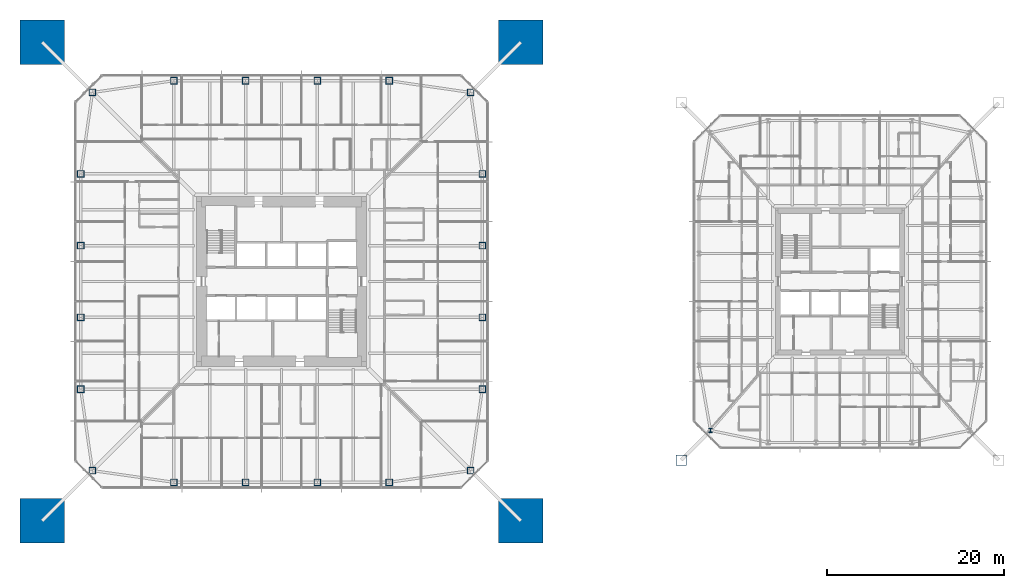
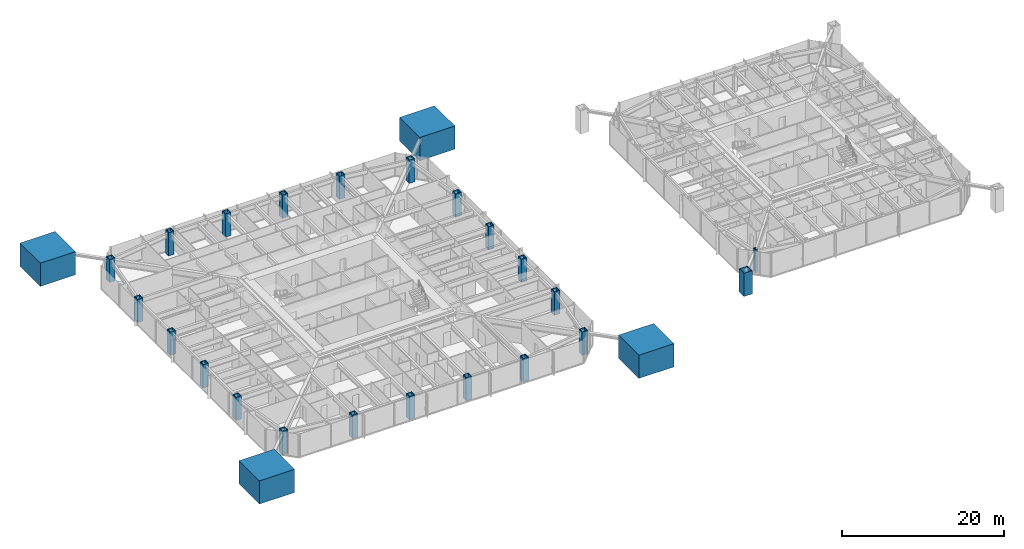
# One storey, part 1 of 26: 26 columns.
"""IFC4 building model written with IfcOpenShell, lengths in metres."""

import ifcopenshell
import ifcopenshell.guid

model = None  # the IFC model being written
_history = None  # IfcOwnerHistory: only IFC2X3 demands one
_inside = {}  # id of a spatial element -> (the spatial element, [elements in it])
_under = {}  # id of a project, library or spatial element -> (it, [spatial elements below it])
_declared = {}  # id of a project -> (the project, [libraries it declares])
_typed = {}  # id of a type object -> (the type object, [elements of that type])
_made_of = {}  # id of a material, layer set ... -> (it, [elements and type objects made of it])


def new_model(schema):
    """Start an empty IFC model of exactly this schema.

    Asked for "IFC4X3", IfcOpenShell would pick the latest addendum, in which some entities
    have other attributes; the version numbers below select the first issue.
    IFC2X3 requires an IfcOwnerHistory on every rooted entity: one is made here for all.
    """
    global model, _history
    if schema == "IFC4X3":
        model = ifcopenshell.file(schema_version=(4, 3, 0, 0))
    else:
        model = ifcopenshell.file(schema=schema)
    _inside.clear()
    _under.clear()
    _declared.clear()
    _typed.clear()
    _made_of.clear()
    _history = None
    if model.schema == "IFC2X3":
        org = make("IfcOrganization", Name="unknown")
        user = make(
            "IfcPersonAndOrganization",
            ThePerson=make("IfcPerson", FamilyName="unknown"),
            TheOrganization=org,
        )
        app = make(
            "IfcApplication",
            ApplicationDeveloper=org,
            Version="unknown",
            ApplicationFullName="unknown",
            ApplicationIdentifier="unknown",
        )
        _history = make(
            "IfcOwnerHistory",
            OwningUser=user,
            OwningApplication=app,
            ChangeAction="ADDED",
            CreationDate=0,
        )
    return model


def make(cls, **values):
    """One entity of the class cls with the attributes given. An attribute that is None is left unset."""
    return model.create_entity(
        cls, **{name: value for name, value in values.items() if value is not None}
    )


def rooted(cls, **values):
    """An entity with a GlobalId (a new one), such as an element, a storey or a relation."""
    return make(cls, GlobalId=ifcopenshell.guid.new(), OwnerHistory=_history, **values)


def si_unit(unit_type, name, prefix=None):
    """IfcSIUnit, for example si_unit("LENGTHUNIT", "METRE", prefix="MILLI")."""
    return make("IfcSIUnit", UnitType=unit_type, Prefix=prefix, Name=name)


def assignment(units):
    """IfcUnitAssignment: the units of a project."""
    return None if units is None else make("IfcUnitAssignment", Units=units)


def point(xyz):
    """IfcCartesianPoint."""
    return None if xyz is None else make("IfcCartesianPoint", Coordinates=xyz)


def direction(xyz):
    """IfcDirection."""
    return None if xyz is None else make("IfcDirection", DirectionRatios=xyz)


def frame(location, z_axis=None, x_axis=None):
    """IfcAxis2Placement3D, a coordinate frame: its origin and axes. An axis left out is left unset."""
    return make(
        "IfcAxis2Placement3D",
        Location=point(location),
        Axis=direction(z_axis),
        RefDirection=direction(x_axis),
    )


def frame_2d(location, x_axis=None):
    """IfcAxis2Placement2D, a coordinate frame in the plane: its origin and x axis."""
    return make(
        "IfcAxis2Placement2D", Location=point(location), RefDirection=direction(x_axis)
    )


def origin():
    """The frame at (0, 0, 0) with its axes left unset."""
    return frame((0.0, 0.0, 0.0))


def origin_2d():
    """The frame at (0, 0) in the plane with its x axis left unset."""
    return frame_2d((0.0, 0.0))


def place(relative_to, where):
    """IfcLocalPlacement: puts the frame where relative to a parent placement (None: the world)."""
    return make(
        "IfcLocalPlacement", PlacementRelTo=relative_to, RelativePlacement=where
    )


def context(
    kind, dimensions, precision=None, world=None, true_north=None, identifier=None
):
    """IfcGeometricRepresentationContext, for example the 3D "Model" context."""
    return make(
        "IfcGeometricRepresentationContext",
        ContextIdentifier=identifier,
        ContextType=kind,
        CoordinateSpaceDimension=dimensions,
        Precision=precision,
        WorldCoordinateSystem=world,
        TrueNorth=true_north,
    )


def subcontext(parent, identifier, kind, view, scale=None):
    """IfcGeometricRepresentationSubContext, for example "Body" below "Model"."""
    return make(
        "IfcGeometricRepresentationSubContext",
        ContextIdentifier=identifier,
        ContextType=kind,
        ParentContext=parent,
        TargetScale=scale,
        TargetView=view,
    )


def project(units=None, contexts=None):
    """IfcProject with its units and contexts."""
    return rooted(
        "IfcProject",
        Name="project",
        RepresentationContexts=contexts,
        UnitsInContext=assignment(units),
    )


def spatial(cls, under=None, at=None, **own):
    """A site, building, storey or space (cls), placed at a placement, below another one or the project."""
    s = rooted(cls, ObjectPlacement=at, **own)
    if under is not None:
        _under.setdefault(under.id(), (under, []))[1].append(s)
    return s


def profile(cls, at=None, kind="AREA", **sizes):
    """A parametric profile (cls). Its sizes go by their IFC names, for example OverallWidth=200.0."""
    return make(cls, ProfileType=kind, Position=at, **sizes)


def rectangle(**sizes):
    """IfcRectangleProfileDef."""
    return profile("IfcRectangleProfileDef", **sizes)


def hollow_rectangle(**sizes):
    """IfcRectangleHollowProfileDef."""
    return profile("IfcRectangleHollowProfileDef", **sizes)


def i_section(**sizes):
    """IfcIShapeProfileDef."""
    return profile("IfcIShapeProfileDef", **sizes)


def extrude(swept, where, along, depth):
    """IfcExtrudedAreaSolid: the profile swept, set in the frame where, extruded along a direction by depth."""
    return make(
        "IfcExtrudedAreaSolid",
        SweptArea=swept,
        Position=where,
        ExtrudedDirection=direction(along),
        Depth=depth,
    )


def shape(context_of_items, identifier, shape_type, items):
    """IfcShapeRepresentation: the items that make up one representation, for example the "Body"."""
    return make(
        "IfcShapeRepresentation",
        ContextOfItems=context_of_items,
        RepresentationIdentifier=identifier,
        RepresentationType=shape_type,
        Items=items,
    )


def material(Name=None, Category=None):
    """IfcMaterial."""
    return make("IfcMaterial", Name=Name, Category=Category)


def material_profile(
    of_material, cross_section, Name=None, Category=None, Priority=None
):
    """IfcMaterialProfile: a cross section and its material."""
    return make(
        "IfcMaterialProfile",
        Name=Name,
        Material=of_material,
        Profile=cross_section,
        Priority=Priority,
        Category=Category,
    )


def profile_set(profiles, Name=None, composite=None):
    """IfcMaterialProfileSet."""
    return make(
        "IfcMaterialProfileSet",
        Name=Name,
        MaterialProfiles=profiles,
        CompositeProfile=composite,
    )


def made_of(thing, what):
    """Note that an element or type object is made of a material, layer set ...; save() writes the relation."""
    if what is not None:
        _made_of.setdefault(what.id(), (what, []))[1].append(thing)
    return thing


def type_object(cls, material=None, **own):
    """A type object (cls), such as IfcWallType, which elements share."""
    return made_of(rooted(cls, **own), material)


def element(
    cls,
    number,
    at=None,
    inside=None,
    cuts=None,
    type_object=None,
    material=None,
    context=None,
    identifier="Body",
    shape_type=None,
    held_by="IfcProductDefinitionShape",
    body=None,
    shapes=None,
    **own,
):
    """One element of the class cls, such as IfcWall. Its Tag is "e" and its number.

    at: its placement. inside: the storey or other place that contains it. cuts: it is an
    opening in that element (IfcRelVoidsElement). A single representation is given by context,
    identifier, shape_type and body (its items); several are given by shapes. held_by: the class
    of the entity that holds the representations. save() writes the other relations.
    """
    e = rooted(cls, Tag="e%d" % number, ObjectPlacement=at, **own)
    if body is not None:
        shapes = [shape(context, identifier, shape_type, body)]
    if shapes is not None:
        e.Representation = make(held_by, Representations=shapes)
    if inside is not None:
        _inside.setdefault(inside.id(), (inside, []))[1].append(e)
    if cuts is not None:
        rooted(
            "IfcRelVoidsElement", RelatingBuildingElement=cuts, RelatedOpeningElement=e
        )
    if type_object is not None:
        _typed.setdefault(type_object.id(), (type_object, []))[1].append(e)
    return made_of(e, material)


def aggregate(whole, parts):
    """IfcRelAggregates: a whole, such as a stair, and the parts it consists of."""
    return rooted("IfcRelAggregates", RelatingObject=whole, RelatedObjects=parts)


def save(model, path):
    """Write the relations noted so far, then the file.

    IfcRelAggregates (storeys below a building ...), IfcRelContainedInSpatialStructure (elements
    in a storey), IfcRelDefinesByType, IfcRelAssociatesMaterial and IfcRelDeclares: one each for
    every whole, place, type object, material and project.
    """
    for whole, parts in _under.values():
        aggregate(whole, parts)
    for where, things in _inside.values():
        rooted(
            "IfcRelContainedInSpatialStructure",
            RelatedElements=things,
            RelatingStructure=where,
        )
    for kind, things in _typed.values():
        rooted("IfcRelDefinesByType", RelatedObjects=things, RelatingType=kind)
    for what, things in _made_of.values():
        rooted("IfcRelAssociatesMaterial", RelatedObjects=things, RelatingMaterial=what)
    for by, libraries in _declared.values():
        rooted("IfcRelDeclares", RelatingContext=by, RelatedDefinitions=libraries)
    model.write(path)


model = new_model("IFC4")

# Units and contexts
model_context = context("Model", 3, precision=1e-05, world=origin(), true_north=direction((0.0, 1.0)))
body_context = subcontext(model_context, "Body", "Model", "MODEL_VIEW")
ifc_project = project(units=[si_unit("LENGTHUNIT", "METRE"), si_unit("AREAUNIT", "SQUARE_METRE"), si_unit("VOLUMEUNIT", "CUBIC_METRE"), si_unit("PLANEANGLEUNIT", "RADIAN"), si_unit("MASSUNIT", "GRAM", prefix="KILO")], contexts=[model_context])

# Site, building, storey
site_placement = place(None, origin())
site = spatial("IfcSite", under=ifc_project, at=site_placement, CompositionType="ELEMENT")
building_placement = place(site_placement, origin())
building = spatial("IfcBuilding", under=site, at=building_placement, Name="Iwan Alto Co-Living Towers", CompositionType="ELEMENT")
storey_placement = place(building_placement, frame((0.0, 0.0, 39.5)))
storey = spatial("IfcBuildingStorey", under=building, at=storey_placement, Name="L10", CompositionType="ELEMENT", Elevation=39.5)

# Columns
ifc_material_1 = material(Name="Concrete f'c 70 MPa", Category="concrete")
ifc_material_profile_1 = material_profile(ifc_material_1, rectangle(XDim=5.0, YDim=5.0, at=origin_2d()), Name="RC 5000X5000")
ifc_profile_set_1 = profile_set([ifc_material_profile_1], Name="Concrete f'c 70 MPa")
column_type_1 = type_object("IfcColumnType", Name="T1 MEGA COLUMN RC 5000X5000", PredefinedType="COLUMN", material=ifc_profile_set_1)
for number, where, z_axis, x_axis, name in (
    (1, (-27.0, -27.0, 0.0), (0.0, 0.0, 1.0), (1.0, 0.0, 0.0), "T1 mega column SW L10"),
    (2, (27.0, -27.0, 0.0), (0.0, 0.0, 1.0), (1.0, 0.0, 0.0), "T1 mega column SE L10"),
    (3, (27.0, 27.0, 0.0), (0.0, 0.0, 1.0), (1.0, 0.0, 0.0), "T1 mega column NE L10"),
    (4, (-27.0, 27.0, 0.0), (0.0, 0.0, 1.0), (1.0, 0.0, 0.0), "T1 mega column NW L10"),
):
    element("IfcColumn", number, at=place(storey_placement, frame(where, z_axis=z_axis, x_axis=x_axis)), inside=storey, type_object=column_type_1, Name=name, PredefinedType="COLUMN", context=body_context, shape_type="SweptSolid", body=[
        extrude(rectangle(XDim=5.0, YDim=5.0, at=origin_2d()), origin(), (0.0, 0.0, 1.0), 3.5),
        extrude(i_section(OverallWidth=0.4775390625, OverallDepth=0.599365234375, WebThickness=0.10009765625, FlangeThickness=0.139892578125, at=origin_2d()), origin(), (0.0, 0.0, 1.0), 3.5),
    ])
ifc_material_2 = material(Name="Steel ASTM A572 Gr 50", Category="steel")
ifc_material_profile_2 = material_profile(ifc_material_2, hollow_rectangle(XDim=0.800048828125, YDim=0.800048828125, WallThickness=0.090087890625, at=origin_2d()), Name="BOX 800X800X90")
ifc_profile_set_2 = profile_set([ifc_material_profile_2], Name="Steel ASTM A572 Gr 50")
column_type_2 = type_object("IfcColumnType", Name="T1 RING COLUMN BOX 800X800X90", PredefinedType="COLUMN", material=ifc_profile_set_2)
for number, where, z_axis, x_axis, name in (
    (5, (-21.32568359375, -21.32568359375, 0.0), (0.0, 0.0, 1.0), (1.0, 0.0, 0.0), "T1 ring column CSW L10"),
    (6, (-12.14990234375, -22.64990234375, 0.0), (0.0, 0.0, 1.0), (1.0, 0.0, 0.0), "T1 ring column S1 L10"),
    (7, (-4.050048828125, -22.64990234375, 0.0), (0.0, 0.0, 1.0), (1.0, 0.0, 0.0), "T1 ring column S2 L10"),
    (8, (4.050048828125, -22.64990234375, 0.0), (0.0, 0.0, 1.0), (1.0, 0.0, 0.0), "T1 ring column S3 L10"),
    (9, (12.14990234375, -22.64990234375, 0.0), (0.0, 0.0, 1.0), (1.0, 0.0, 0.0), "T1 ring column S4 L10"),
    (10, (21.32568359375, -21.32568359375, 0.0), (0.0, 0.0, 1.0), (1.0, 0.0, 0.0), "T1 ring column CSE L10"),
    (11, (22.64990234375, -12.14990234375, 0.0), (0.0, 0.0, 1.0), (1.0, 0.0, 0.0), "T1 ring column E1 L10"),
    (12, (22.64990234375, -4.050048828125, 0.0), (0.0, 0.0, 1.0), (1.0, 0.0, 0.0), "T1 ring column E2 L10"),
    (13, (22.64990234375, 4.050048828125, 0.0), (0.0, 0.0, 1.0), (1.0, 0.0, 0.0), "T1 ring column E3 L10"),
    (14, (22.64990234375, 12.14990234375, 0.0), (0.0, 0.0, 1.0), (1.0, 0.0, 0.0), "T1 ring column E4 L10"),
    (15, (21.32568359375, 21.32568359375, 0.0), (0.0, 0.0, 1.0), (1.0, 0.0, 0.0), "T1 ring column CNE L10"),
    (16, (12.14990234375, 22.64990234375, 0.0), (0.0, 0.0, 1.0), (1.0, 0.0, 0.0), "T1 ring column N1 L10"),
    (17, (4.050048828125, 22.64990234375, 0.0), (0.0, 0.0, 1.0), (1.0, 0.0, 0.0), "T1 ring column N2 L10"),
    (18, (-4.050048828125, 22.64990234375, 0.0), (0.0, 0.0, 1.0), (1.0, 0.0, 0.0), "T1 ring column N3 L10"),
    (19, (-12.14990234375, 22.64990234375, 0.0), (0.0, 0.0, 1.0), (1.0, 0.0, 0.0), "T1 ring column N4 L10"),
    (20, (-21.32568359375, 21.32568359375, 0.0), (0.0, 0.0, 1.0), (1.0, 0.0, 0.0), "T1 ring column CNW L10"),
    (21, (-22.64990234375, 12.14990234375, 0.0), (0.0, 0.0, 1.0), (1.0, 0.0, 0.0), "T1 ring column W1 L10"),
    (22, (-22.64990234375, 4.050048828125, 0.0), (0.0, 0.0, 1.0), (1.0, 0.0, 0.0), "T1 ring column W2 L10"),
    (23, (-22.64990234375, -4.050048828125, 0.0), (0.0, 0.0, 1.0), (1.0, 0.0, 0.0), "T1 ring column W3 L10"),
    (24, (-22.64990234375, -12.14990234375, 0.0), (0.0, 0.0, 1.0), (1.0, 0.0, 0.0), "T1 ring column W4 L10"),
):
    element("IfcColumn", number, at=place(storey_placement, frame(where, z_axis=z_axis, x_axis=x_axis)), inside=storey, type_object=column_type_2, Name=name, PredefinedType="COLUMN", context=body_context, shape_type="SweptSolid", body=[
        extrude(hollow_rectangle(XDim=0.800048828125, YDim=0.800048828125, WallThickness=0.090087890625, at=origin_2d()), origin(), (0.0, 0.0, 1.0), 3.5),
    ])
ifc_material_3 = material(Name="Steel ASTM A572 Gr 50", Category="steel")
ifc_material_profile_3 = material_profile(ifc_material_3, hollow_rectangle(XDim=1.199951171875, YDim=1.199951171875, WallThickness=0.070068359375, at=origin_2d()), Name="BOX 1200X1200X70")
ifc_profile_set_3 = profile_set([ifc_material_profile_3], Name="Steel ASTM A572 Gr 50")
column_type_3 = type_object("IfcColumnType", Name="T2 MEGA COLUMN BOX 1200X1200X70", PredefinedType="COLUMN", material=ifc_profile_set_3)
column_1_placement = place(storey_placement, frame((45.10009765625, -20.14990234375, 0.0), z_axis=(0.0, 0.0, 1.0), x_axis=(1.0, 0.0, 0.0)))
element("IfcColumn", 25, at=column_1_placement, inside=storey, type_object=column_type_3, Name="T2 mega column SW L10", PredefinedType="COLUMN", context=body_context, shape_type="SweptSolid", body=[
    extrude(hollow_rectangle(XDim=1.199951171875, YDim=1.199951171875, WallThickness=0.070068359375, at=origin_2d()), origin(), (0.0, 0.0, 1.0), 3.5),
])
ifc_material_4 = material(Name="Steel ASTM A992 Gr 50", Category="steel")
ifc_material_profile_4 = material_profile(ifc_material_4, i_section(OverallWidth=0.424072265625, OverallDepth=0.47509765625, WebThickness=0.0478515625, FlangeThickness=0.0771484375, at=origin_2d()), Name="W14X426")
ifc_profile_set_4 = profile_set([ifc_material_profile_4], Name="Steel ASTM A992 Gr 50")
column_type_4 = type_object("IfcColumnType", Name="T2 RING COLUMN W14X426", PredefinedType="COLUMN", material=ifc_profile_set_4)
column_2_placement = place(storey_placement, frame((48.393798828125, -16.797119140625, 0.0), z_axis=(0.0, 0.0, 1.0), x_axis=(1.0, 0.0, 0.0)))
element("IfcColumn", 26, at=column_2_placement, inside=storey, type_object=column_type_4, Name="T2 ring column CSW L10", PredefinedType="COLUMN", context=body_context, shape_type="SweptSolid", body=[
    extrude(i_section(OverallWidth=0.424072265625, OverallDepth=0.47509765625, WebThickness=0.0478515625, FlangeThickness=0.0771484375, at=origin_2d()), origin(), (0.0, 0.0, 1.0), 3.5),
])

save(model, "model.ifc")
